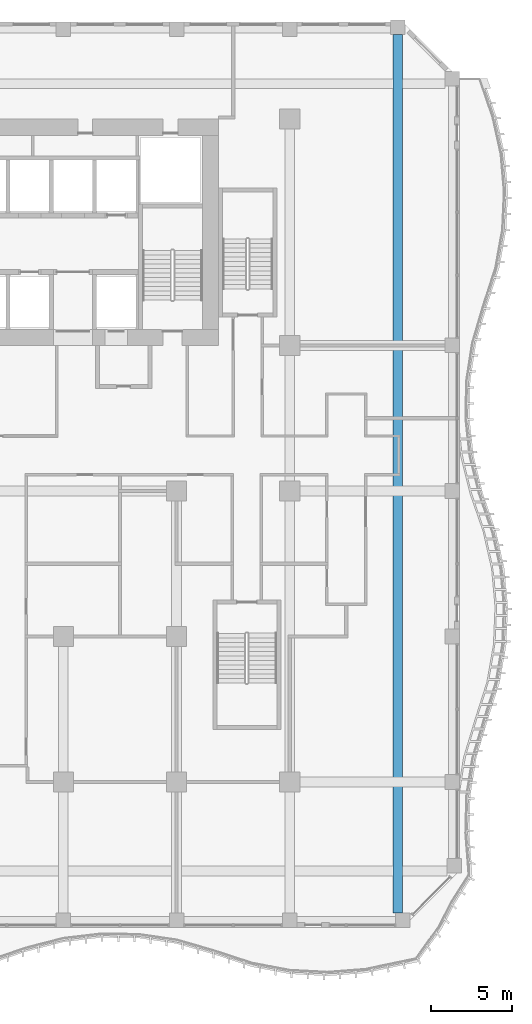
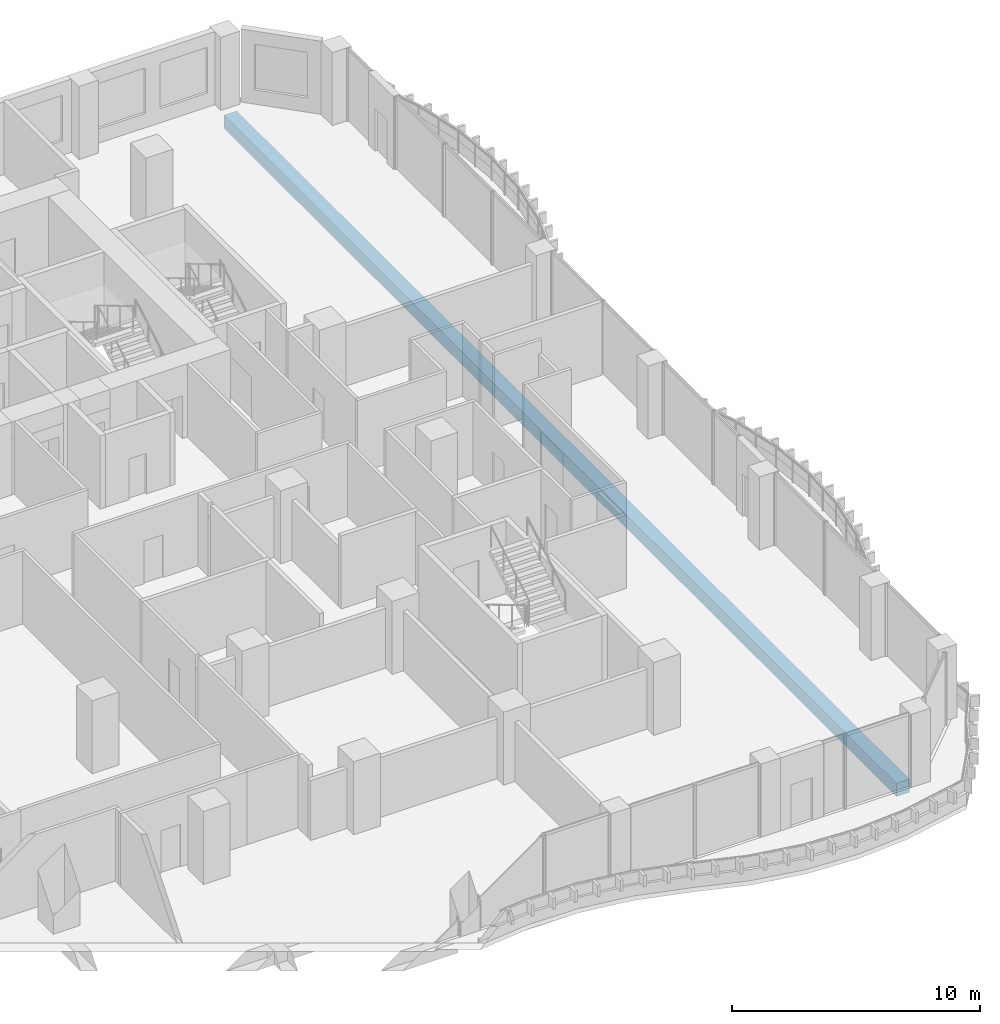
# One storey, part 7 of 21: 1 beam.
"""IFC4 building model written with IfcOpenShell, lengths in metres."""

from ifc_helpers import new_model, si_unit, direction, frame, origin, origin_2d, place, context, subcontext, project, spatial, rectangle, extrude, source, transform, mapped, material, material_profile, profile_set, type_object, element, save


model = new_model("IFC4")

# Units and contexts
model_context = context("Model", 3, precision=1e-05, world=origin(), true_north=direction((0.0, 1.0)))
body_context = subcontext(model_context, "Body", "Model", "MODEL_VIEW")
ifc_project = project(units=[si_unit("LENGTHUNIT", "METRE"), si_unit("AREAUNIT", "SQUARE_METRE"), si_unit("VOLUMEUNIT", "CUBIC_METRE"), si_unit("PLANEANGLEUNIT", "RADIAN"), si_unit("MASSUNIT", "GRAM", prefix="KILO")], contexts=[model_context])

# Site, building, storey
site_placement = place(None, origin())
site = spatial("IfcSite", under=ifc_project, at=site_placement, CompositionType="ELEMENT")
building_placement = place(site_placement, origin())
building = spatial("IfcBuilding", under=site, at=building_placement, Name="Kilnfold Tower and Market Hall", CompositionType="ELEMENT")
storey_placement = place(building_placement, frame((0.0, 0.0, 91.199951171875)))
storey = spatial("IfcBuildingStorey", under=building, at=storey_placement, Name="L21", CompositionType="ELEMENT", Elevation=91.199951171875)

# Beam
ifc_material = material(Name="Concrete C45", Category="concrete")
ifc_material_profile = material_profile(ifc_material, rectangle(XDim=0.60009765625, YDim=0.64990234375, at=origin_2d()), Name="RC 600x650")
ifc_profile_set = profile_set([ifc_material_profile], Name="Concrete C45")
beam_type = type_object("IfcBeamType", Name="BEAM 600X650 C45", PredefinedType="BEAM", material=ifc_profile_set)
shared_shape = source(origin(), body_context, "Body", "SweptSolid", [
    extrude(rectangle(XDim=0.60009765625, YDim=0.64990234375, at=origin_2d()), origin(), (0.0, 0.0, 1.0), 54.331787109375),
])
beam_placement = place(storey_placement, frame((29.179931640625, -27.10009765625, -0.60498046875), z_axis=(0.0, 1.0, 0.0), x_axis=(-1.0, 0.0, 0.0)))
element("IfcBeam", 1, at=beam_placement, inside=storey, type_object=beam_type, Name="Beam BB650-B2.98", PredefinedType="BEAM", context=body_context, shape_type="MappedRepresentation", body=[
    mapped(shared_shape, transform((0.0, 0.0, 0.0))),
])

save(model, "model.ifc")
